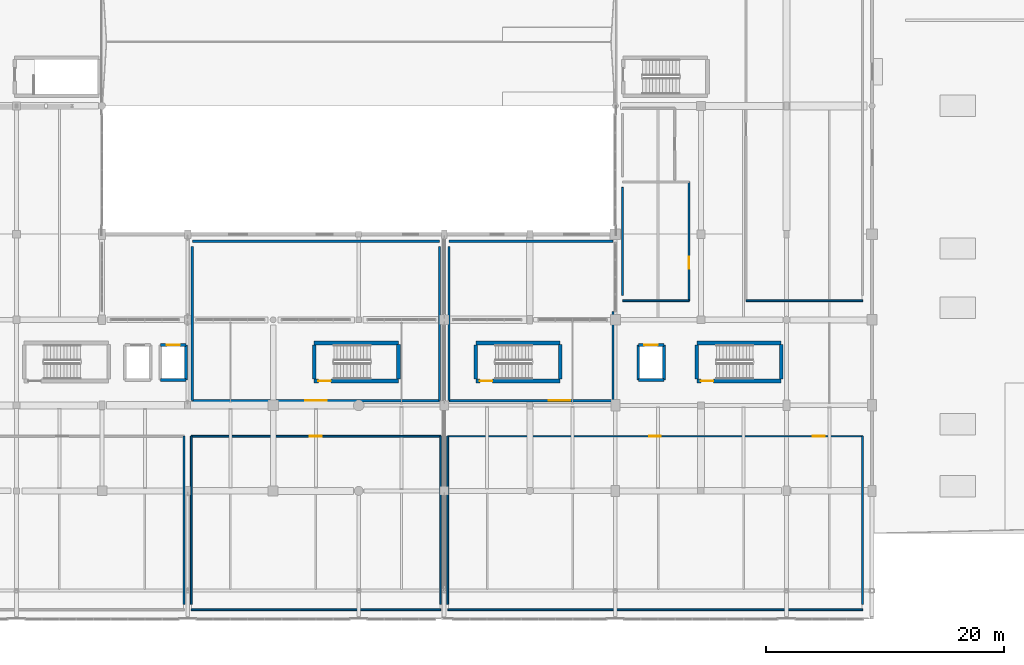
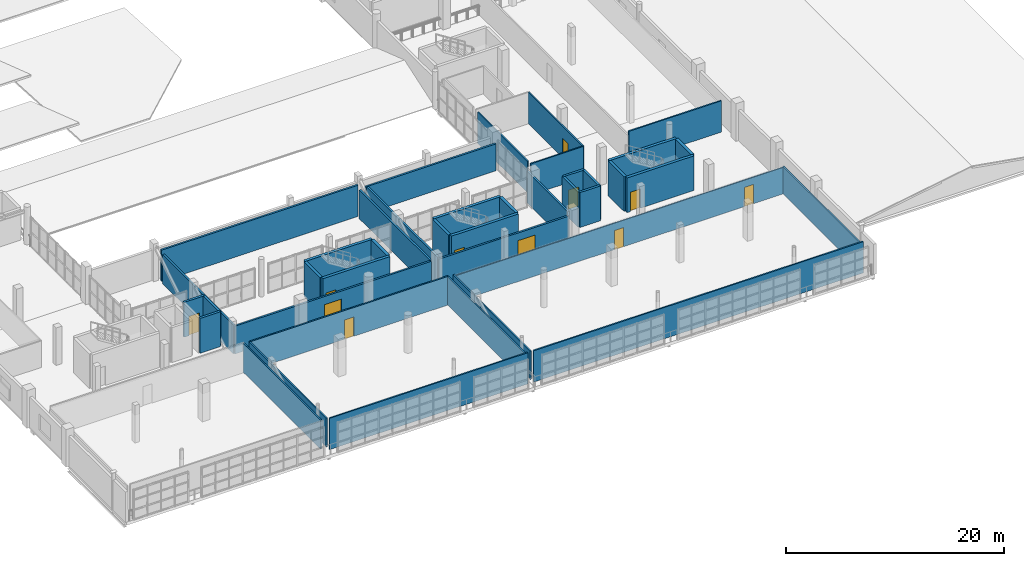
# One storey, part 74 of 90: 40 walls, 11 doors, 11 openings.
"""IFC4 building model written with IfcOpenShell, lengths in metres."""

from ifc_helpers import new_model, si_unit, direction, frame, frame_2d, origin, place, context, subcontext, project, spatial, rectangle, extrude, material, layer, layer_set, type_object, element, fill, save


model = new_model("IFC4")

# Units and contexts
model_context = context("Model", 3, precision=1e-05, world=origin(), true_north=direction((0.0, 1.0)))
body_context = subcontext(model_context, "Body", "Model", "MODEL_VIEW")
ifc_project = project(units=[si_unit("LENGTHUNIT", "METRE"), si_unit("AREAUNIT", "SQUARE_METRE"), si_unit("VOLUMEUNIT", "CUBIC_METRE"), si_unit("PLANEANGLEUNIT", "RADIAN"), si_unit("MASSUNIT", "GRAM", prefix="KILO")], contexts=[model_context])

# Site, building, storey
site_placement = place(None, origin())
site = spatial("IfcSite", under=ifc_project, at=site_placement, CompositionType="ELEMENT")
building_placement = place(site_placement, origin())
building = spatial("IfcBuilding", under=site, at=building_placement, Name="Solanera Park Tramway Depot", CompositionType="ELEMENT")
storey_placement = place(building_placement, frame((0.0, 0.0, 9.0)))
storey = spatial("IfcBuildingStorey", under=building, at=storey_placement, Name="L02", CompositionType="ELEMENT", Elevation=9.0)

# Walls
ifc_material_1 = material(Name="Concrete N32 (C32/40)", Category="concrete")
ifc_layer_1 = layer(ifc_material_1, 0.14990234375)
ifc_layer_set_1 = layer_set([ifc_layer_1], Name="Concrete N32 (C32/40)")
wall_type_1 = type_object("IfcWallType", Name="Acoustic Partition 150", PredefinedType="PARTITIONING", material=ifc_layer_set_1)
wall_1_placement = place(storey_placement, frame((129.300048828125, 1.25, 0.0), z_axis=(0.0, 0.0, 1.0), x_axis=(0.0, 1.0, 0.0)))
element("IfcWall", 1, at=wall_1_placement, inside=storey, type_object=wall_type_1, Name="Cyclone Incident and Crisis Command Suite Dividing Wall", PredefinedType="PARTITIONING", context=body_context, shape_type="SweptSolid", body=[
    extrude(rectangle(XDim=14.14990234375, YDim=0.14990234375, at=frame_2d((7.074951171875, 0.0))), origin(), (0.0, 0.0, 1.0), 3.244140625),
])
wall_2_placement = place(storey_placement, frame((150.89990234375, 0.800048828125, 0.0), z_axis=(0.0, 0.0, 1.0), x_axis=(-1.0, 0.0, 0.0)))
element("IfcWall", 2, at=wall_2_placement, inside=storey, type_object=wall_type_1, Name="Cantilevered Network Operations Control Theatre Dividing Wall", PredefinedType="PARTITIONING", context=body_context, shape_type="SweptSolid", body=[
    extrude(rectangle(XDim=21.0, YDim=0.14990234375, at=frame_2d((10.5, 0.0))), origin(), (0.0, 0.0, 1.0), 3.50244140625),
])
wall_3_placement = place(storey_placement, frame((150.89990234375, 1.25, 0.0), z_axis=(0.0, 0.0, 1.0), x_axis=(0.0, 1.0, 0.0)))
element("IfcWall", 3, at=wall_3_placement, inside=storey, type_object=wall_type_1, Name="Cantilevered Network Operations Control Theatre Dividing Wall", PredefinedType="PARTITIONING", context=body_context, shape_type="SweptSolid", body=[
    extrude(rectangle(XDim=14.14990234375, YDim=0.14990234375, at=frame_2d((7.074951171875, 0.0))), origin(), (0.0, 0.0, 1.0), 3.156982421875),
])
wall_4_placement = place(storey_placement, frame((129.89990234375, 15.39990234375, 0.0), z_axis=(0.0, 0.0, 1.0), x_axis=(0.0, -1.0, 0.0)))
element("IfcWall", 4, at=wall_4_placement, inside=storey, type_object=wall_type_1, Name="Cantilevered Network Operations Control Theatre Dividing Wall", PredefinedType="PARTITIONING", context=body_context, shape_type="SweptSolid", body=[
    extrude(rectangle(XDim=14.14990234375, YDim=0.14990234375, at=frame_2d((7.074951171875, 0.0))), origin(), (0.0, 0.0, 1.0), 3.20703125),
])
wall_5_placement = place(storey_placement, frame((186.39990234375, 0.800048828125, 0.0), z_axis=(0.0, 0.0, 1.0), x_axis=(-1.0, 0.0, 0.0)))
element("IfcWall", 5, at=wall_5_placement, inside=storey, type_object=wall_type_1, Name="Signalling and Network Operations Studio Dividing Wall", PredefinedType="PARTITIONING", context=body_context, shape_type="SweptSolid", body=[
    extrude(rectangle(XDim=34.89990234375, YDim=0.14990234375, at=frame_2d((17.449951171875, 0.0))), origin(), (0.0, 0.0, 1.0), 3.50244140625),
])
wall_6_placement = place(storey_placement, frame((186.39990234375, 1.25, 0.0), z_axis=(0.0, 0.0, 1.0), x_axis=(0.0, 1.0, 0.0)))
element("IfcWall", 6, at=wall_6_placement, inside=storey, type_object=wall_type_1, Name="Signalling and Network Operations Studio Dividing Wall", PredefinedType="PARTITIONING", context=body_context, shape_type="SweptSolid", body=[
    extrude(rectangle(XDim=14.14990234375, YDim=0.14990234375, at=frame_2d((7.074951171875, 0.0))), origin(), (0.0, 0.0, 1.0), 3.052001953125),
])
wall_7_placement = place(storey_placement, frame((151.5, 15.39990234375, 0.0), z_axis=(0.0, 0.0, 1.0), x_axis=(0.0, -1.0, 0.0)))
element("IfcWall", 7, at=wall_7_placement, inside=storey, type_object=wall_type_1, Name="Signalling and Network Operations Studio Dividing Wall", PredefinedType="PARTITIONING", context=body_context, shape_type="SweptSolid", body=[
    extrude(rectangle(XDim=14.14990234375, YDim=0.14990234375, at=frame_2d((7.074951171875, 0.0))), origin(), (0.0, 0.0, 1.0), 3.156982421875),
])
wall_8_placement = place(storey_placement, frame((186.39990234375, 26.800048828125, 0.0), z_axis=(0.0, 0.0, 1.0), x_axis=(-1.0, 0.0, 0.0)))
element("IfcWall", 8, at=wall_8_placement, inside=storey, type_object=wall_type_1, Name="Passenger Information and GIS Analytics Dividing Wall", PredefinedType="PARTITIONING", context=body_context, shape_type="SweptSolid", body=[
    extrude(rectangle(XDim=9.7998046875, YDim=0.14990234375, at=frame_2d((4.89990234375, 0.0))), origin(), (0.0, 0.0, 1.0), 3.50244140625),
])

# Wall, opening, door
ifc_material_2 = material(Name="Concrete N40 (C40/50)", Category="concrete")
ifc_layer_2 = layer(ifc_material_2, 0.300048828125)
ifc_layer_set_2 = layer_set([ifc_layer_2], Name="Concrete N40 (C40/50)")
wall_type_2 = type_object("IfcWallType", Name="Core Shear Wall 300", PredefinedType="SHEAR", material=ifc_layer_set_2)
wall_9_placement = place(storey_placement, frame((140.25, 20.050048828125, 0.0), z_axis=(0.0, 0.0, 1.0), x_axis=(1.0, 0.0, 0.0)))
wall_9 = element("IfcWall", 9, at=wall_9_placement, inside=storey, type_object=wall_type_2, Name="ST-02 L02 Shear Core Wall S", PredefinedType="SHEAR", context=body_context, shape_type="SweptSolid", body=[
    extrude(rectangle(XDim=7.10009765625, YDim=0.300048828125, at=frame_2d((3.550048828125, 0.0))), origin(), (0.0, 0.0, 1.0), 3.875),
])
opening_1_placement = place(wall_9_placement, frame((0.35009765625, 0.0, 0.0)))
opening_1 = element("IfcOpeningElement", 10, at=opening_1_placement, cuts=wall_9, Name="Opening FD-S1L", PredefinedType="OPENING", context=body_context, shape_type="SweptSolid", body=[
    extrude(rectangle(XDim=1.050048828125, YDim=2.14990234375, at=frame_2d((0.52490234375, 1.074951171875))), frame((0.0, 0.16015625, 0.0), z_axis=(0.0, -1.0, 0.0), x_axis=(1.0, 0.0, 0.0)), (0.0, 0.0, 1.0), 0.320068359375),
])
ifc_material_3 = material(Name="Fire-rated steel or solid-core hardwood door leaf", Category="steel")
door_type_1 = type_object("IfcDoorType", Name="Stair Fire Door L 1050x2150", OperationType="SINGLE_SWING_LEFT", PredefinedType="DOOR", material=ifc_material_3)
door_1_placement = place(opening_1_placement, origin())
door_1 = element("IfcDoor", 11, at=door_1_placement, inside=storey, type_object=door_type_1, Name="ST-02 L02 Stair Fire Door", OperationType="SINGLE_SWING_LEFT", OverallHeight=2.14990234375, OverallWidth=1.050048828125, PredefinedType="DOOR", context=body_context, shape_type="SweptSolid", body=[
    extrude(rectangle(XDim=1.050048828125, YDim=2.14990234375, at=frame_2d((0.52490234375, 1.074951171875))), frame((0.0, 0.02490234375, 0.0), z_axis=(0.0, -1.0, 0.0), x_axis=(1.0, 0.0, 0.0)), (0.0, 0.0, 1.0), 0.050048828125),
])
fill(opening_1, door_1)

# Walls
wall_10_placement = place(storey_placement, frame((147.35009765625, 23.25, 0.0), z_axis=(0.0, 0.0, 1.0), x_axis=(-1.0, 0.0, 0.0)))
element("IfcWall", 12, at=wall_10_placement, inside=storey, type_object=wall_type_2, Name="ST-02 L02 Shear Core Wall N", PredefinedType="SHEAR", context=body_context, shape_type="SweptSolid", body=[
    extrude(rectangle(XDim=7.10009765625, YDim=0.300048828125, at=frame_2d((3.550048828125, 0.0))), origin(), (0.0, 0.0, 1.0), 3.875),
])
for number, where, z_axis, x_axis, name in (
    (13, (147.35009765625, 20.199951171875, 0.0), (0.0, 0.0, 1.0), (0.0, 1.0, 0.0), "ST-02 L02 Shear Core Wall E"),
    (14, (140.25, 23.10009765625, 0.0), (0.0, 0.0, 1.0), (0.0, -1.0, 0.0), "ST-02 L02 Shear Core Wall W"),
):
    element("IfcWall", number, at=place(storey_placement, frame(where, z_axis=z_axis, x_axis=x_axis)), inside=storey, type_object=wall_type_2, Name=name, PredefinedType="SHEAR", context=body_context, shape_type="SweptSolid", body=[
        extrude(rectangle(XDim=2.900146484375, YDim=0.300048828125, at=frame_2d((1.4501953125, 0.0))), origin(), (0.0, 0.0, 1.0), 3.875),
    ])

# Wall, opening, door
wall_11_placement = place(storey_placement, frame((153.85009765625, 20.050048828125, 0.0), z_axis=(0.0, 0.0, 1.0), x_axis=(1.0, 0.0, 0.0)))
wall_11 = element("IfcWall", 15, at=wall_11_placement, inside=storey, type_object=wall_type_2, Name="ST-03 L02 Shear Core Wall S", PredefinedType="SHEAR", context=body_context, shape_type="SweptSolid", body=[
    extrude(rectangle(XDim=7.099853515625, YDim=0.300048828125, at=frame_2d((3.5498046875, 0.0))), origin(), (0.0, 0.0, 1.0), 3.875),
])
opening_2_placement = place(wall_11_placement, frame((0.35009765625, 0.0, 0.0)))
opening_2 = element("IfcOpeningElement", 16, at=opening_2_placement, cuts=wall_11, Name="Opening FD-S1L", PredefinedType="OPENING", context=body_context, shape_type="SweptSolid", body=[
    extrude(rectangle(XDim=1.050048828125, YDim=2.14990234375, at=frame_2d((0.52490234375, 1.074951171875))), frame((0.0, 0.16015625, 0.0), z_axis=(0.0, -1.0, 0.0), x_axis=(1.0, 0.0, 0.0)), (0.0, 0.0, 1.0), 0.320068359375),
])
door_2_placement = place(opening_2_placement, origin())
door_2 = element("IfcDoor", 17, at=door_2_placement, inside=storey, type_object=door_type_1, Name="ST-03 L02 Stair Fire Door", OperationType="SINGLE_SWING_LEFT", OverallHeight=2.14990234375, OverallWidth=1.050048828125, PredefinedType="DOOR", context=body_context, shape_type="SweptSolid", body=[
    extrude(rectangle(XDim=1.050048828125, YDim=2.14990234375, at=frame_2d((0.52490234375, 1.074951171875))), frame((0.0, 0.02490234375, 0.0), z_axis=(0.0, -1.0, 0.0), x_axis=(1.0, 0.0, 0.0)), (0.0, 0.0, 1.0), 0.050048828125),
])
fill(opening_2, door_2)

# Walls
wall_12_placement = place(storey_placement, frame((160.949951171875, 23.25, 0.0), z_axis=(0.0, 0.0, 1.0), x_axis=(-1.0, 0.0, 0.0)))
element("IfcWall", 18, at=wall_12_placement, inside=storey, type_object=wall_type_2, Name="ST-03 L02 Shear Core Wall N", PredefinedType="SHEAR", context=body_context, shape_type="SweptSolid", body=[
    extrude(rectangle(XDim=7.099853515625, YDim=0.300048828125, at=frame_2d((3.5498046875, 0.0))), origin(), (0.0, 0.0, 1.0), 3.875),
])
for number, where, z_axis, x_axis, name in (
    (19, (160.949951171875, 20.199951171875, 0.0), (0.0, 0.0, 1.0), (0.0, 1.0, 0.0), "ST-03 L02 Shear Core Wall E"),
    (20, (153.85009765625, 23.10009765625, 0.0), (0.0, 0.0, 1.0), (0.0, -1.0, 0.0), "ST-03 L02 Shear Core Wall W"),
):
    element("IfcWall", number, at=place(storey_placement, frame(where, z_axis=z_axis, x_axis=x_axis)), inside=storey, type_object=wall_type_2, Name=name, PredefinedType="SHEAR", context=body_context, shape_type="SweptSolid", body=[
        extrude(rectangle(XDim=2.900146484375, YDim=0.300048828125, at=frame_2d((1.4501953125, 0.0))), origin(), (0.0, 0.0, 1.0), 3.875),
    ])

# Wall, opening, door
wall_13_placement = place(storey_placement, frame((172.449951171875, 20.050048828125, 0.0), z_axis=(0.0, 0.0, 1.0), x_axis=(1.0, 0.0, 0.0)))
wall_13 = element("IfcWall", 21, at=wall_13_placement, inside=storey, type_object=wall_type_2, Name="ST-04 L02 Shear Core Wall S", PredefinedType="SHEAR", context=body_context, shape_type="SweptSolid", body=[
    extrude(rectangle(XDim=7.10009765625, YDim=0.300048828125, at=frame_2d((3.550048828125, 0.0))), origin(), (0.0, 0.0, 1.0), 3.875),
])
opening_3_placement = place(wall_13_placement, frame((0.35009765625, 0.0, 0.0)))
opening_3 = element("IfcOpeningElement", 22, at=opening_3_placement, cuts=wall_13, Name="Opening FD-S1L", PredefinedType="OPENING", context=body_context, shape_type="SweptSolid", body=[
    extrude(rectangle(XDim=1.050048828125, YDim=2.14990234375, at=frame_2d((0.52490234375, 1.074951171875))), frame((0.0, 0.16015625, 0.0), z_axis=(0.0, -1.0, 0.0), x_axis=(1.0, 0.0, 0.0)), (0.0, 0.0, 1.0), 0.320068359375),
])
door_3_placement = place(opening_3_placement, origin())
door_3 = element("IfcDoor", 23, at=door_3_placement, inside=storey, type_object=door_type_1, Name="ST-04 L02 Stair Fire Door", OperationType="SINGLE_SWING_LEFT", OverallHeight=2.14990234375, OverallWidth=1.050048828125, PredefinedType="DOOR", context=body_context, shape_type="SweptSolid", body=[
    extrude(rectangle(XDim=1.050048828125, YDim=2.14990234375, at=frame_2d((0.52490234375, 1.074951171875))), frame((0.0, 0.02490234375, 0.0), z_axis=(0.0, -1.0, 0.0), x_axis=(1.0, 0.0, 0.0)), (0.0, 0.0, 1.0), 0.050048828125),
])
fill(opening_3, door_3)

# Walls
wall_14_placement = place(storey_placement, frame((179.550048828125, 23.25, 0.0), z_axis=(0.0, 0.0, 1.0), x_axis=(-1.0, 0.0, 0.0)))
element("IfcWall", 24, at=wall_14_placement, inside=storey, type_object=wall_type_2, Name="ST-04 L02 Shear Core Wall N", PredefinedType="SHEAR", context=body_context, shape_type="SweptSolid", body=[
    extrude(rectangle(XDim=7.10009765625, YDim=0.300048828125, at=frame_2d((3.550048828125, 0.0))), origin(), (0.0, 0.0, 1.0), 3.875),
])
for number, where, z_axis, x_axis, name in (
    (25, (179.550048828125, 20.199951171875, 0.0), (0.0, 0.0, 1.0), (0.0, 1.0, 0.0), "ST-04 L02 Shear Core Wall E"),
    (26, (172.449951171875, 23.10009765625, 0.0), (0.0, 0.0, 1.0), (0.0, -1.0, 0.0), "ST-04 L02 Shear Core Wall W"),
):
    element("IfcWall", number, at=place(storey_placement, frame(where, z_axis=z_axis, x_axis=x_axis)), inside=storey, type_object=wall_type_2, Name=name, PredefinedType="SHEAR", context=body_context, shape_type="SweptSolid", body=[
        extrude(rectangle(XDim=2.900146484375, YDim=0.300048828125, at=frame_2d((1.4501953125, 0.0))), origin(), (0.0, 0.0, 1.0), 3.875),
    ])
ifc_material_4 = material(Name="Concrete N32 (C32/40)", Category="concrete")
ifc_layer_3 = layer(ifc_material_4, 0.199951171875)
ifc_layer_set_3 = layer_set([ifc_layer_3], Name="Concrete N32 (C32/40)")
wall_type_3 = type_object("IfcWallType", Name="Fire Compartment Wall 200", PredefinedType="SOLIDWALL", material=ifc_layer_set_3)
wall_15_placement = place(storey_placement, frame((130.0, 31.800048828125, 0.0), z_axis=(0.0, 0.0, 1.0), x_axis=(1.0, 0.0, 0.0)))
element("IfcWall", 27, at=wall_15_placement, inside=storey, type_object=wall_type_3, Name="Redundant Signalling Server Hall A Dividing Wall", PredefinedType="SOLIDWALL", context=body_context, shape_type="SweptSolid", body=[
    extrude(rectangle(XDim=20.800048828125, YDim=0.199951171875, at=frame_2d((10.39990234375, 0.0))), origin(), (0.0, 0.0, 1.0), 3.50244140625),
])
wall_16_placement = place(storey_placement, frame((150.800048828125, 18.39990234375, 0.0), z_axis=(0.0, 0.0, 1.0), x_axis=(0.0, 1.0, 0.0)))
element("IfcWall", 28, at=wall_16_placement, inside=storey, type_object=wall_type_3, Name="Redundant Signalling Server Hall A Dividing Wall", PredefinedType="SOLIDWALL", context=body_context, shape_type="SweptSolid", body=[
    extrude(rectangle(XDim=12.9501953125, YDim=0.199951171875, at=frame_2d((6.47509765625, 0.0))), origin(), (0.0, 0.0, 1.0), 3.20703125),
])
wall_17_placement = place(storey_placement, frame((130.0, 31.35009765625, 0.0), z_axis=(0.0, 0.0, 1.0), x_axis=(0.0, -1.0, 0.0)))
element("IfcWall", 29, at=wall_17_placement, inside=storey, type_object=wall_type_3, Name="Redundant Signalling Server Hall A Dividing Wall", PredefinedType="SOLIDWALL", context=body_context, shape_type="SweptSolid", body=[
    extrude(rectangle(XDim=12.9501953125, YDim=0.199951171875, at=frame_2d((6.47509765625, 0.0))), origin(), (0.0, 0.0, 1.0), 3.257080078125),
])

# Wall, opening, door
wall_18_placement = place(storey_placement, frame((150.800048828125, 18.39990234375, 0.0), z_axis=(0.0, 0.0, 1.0), x_axis=(-1.0, 0.0, 0.0)))
wall_18 = element("IfcWall", 30, at=wall_18_placement, inside=storey, type_object=wall_type_3, Name="Redundant Signalling Server Hall A Corridor Wall", PredefinedType="SOLIDWALL", context=body_context, shape_type="SweptSolid", body=[
    extrude(rectangle(XDim=20.800048828125, YDim=0.199951171875, at=frame_2d((10.39990234375, 0.0))), origin(), (0.0, 0.0, 1.0), 3.10693359375),
])
opening_4_placement = place(wall_18_placement, frame((9.5, 0.0, 0.0)))
opening_4 = element("IfcOpeningElement", 31, at=opening_4_placement, cuts=wall_18, Name="Opening FD-P2D", PredefinedType="OPENING", context=body_context, shape_type="SweptSolid", body=[
    extrude(rectangle(XDim=1.800048828125, YDim=2.199951171875, at=frame_2d((0.89990234375, 1.10009765625))), frame((0.0, 0.10986328125, 0.0), z_axis=(0.0, -1.0, 0.0), x_axis=(1.0, 0.0, 0.0)), (0.0, 0.0, 1.0), 0.219970703125),
])
ifc_material_5 = material(Name="Fire-rated steel or solid-core hardwood door leaf", Category="steel")
door_type_2 = type_object("IfcDoorType", Name="Plant Double Fire Door 1800x2200", OperationType="DOUBLE_SWING_LEFT", PredefinedType="DOOR", material=ifc_material_5)
door_4_placement = place(opening_4_placement, origin())
door_4 = element("IfcDoor", 32, at=door_4_placement, inside=storey, type_object=door_type_2, Name="Redundant Signalling Server Hall A Door", OperationType="DOUBLE_SWING_LEFT", OverallHeight=2.199951171875, OverallWidth=1.800048828125, PredefinedType="DOOR", context=body_context, shape_type="SweptSolid", body=[
    extrude(rectangle(XDim=1.800048828125, YDim=2.199951171875, at=frame_2d((0.89990234375, 1.10009765625))), frame((0.0, 0.02490234375, 0.0), z_axis=(0.0, -1.0, 0.0), x_axis=(1.0, 0.0, 0.0)), (0.0, 0.0, 1.0), 0.050048828125),
])
fill(opening_4, door_4)

# Walls
wall_19_placement = place(storey_placement, frame((151.60009765625, 31.800048828125, 0.0), z_axis=(0.0, 0.0, 1.0), x_axis=(1.0, 0.0, 0.0)))
element("IfcWall", 33, at=wall_19_placement, inside=storey, type_object=wall_type_3, Name="Telemetry and Radio Core Equipment Hall Dividing Wall", PredefinedType="SOLIDWALL", context=body_context, shape_type="SweptSolid", body=[
    extrude(rectangle(XDim=13.7998046875, YDim=0.199951171875, at=frame_2d((6.89990234375, 0.0))), origin(), (0.0, 0.0, 1.0), 3.007080078125),
])
wall_20_placement = place(storey_placement, frame((165.39990234375, 18.39990234375, 0.0), z_axis=(0.0, 0.0, 1.0), x_axis=(0.0, 1.0, 0.0)))
element("IfcWall", 34, at=wall_20_placement, inside=storey, type_object=wall_type_3, Name="Telemetry and Radio Core Equipment Hall Dividing Wall", PredefinedType="SOLIDWALL", context=body_context, shape_type="SweptSolid", body=[
    extrude(rectangle(XDim=7.5, YDim=0.199951171875, at=frame_2d((3.75, 0.0))), origin(), (0.0, 0.0, 1.0), 3.50244140625),
])
wall_21_placement = place(storey_placement, frame((151.60009765625, 31.35009765625, 0.0), z_axis=(0.0, 0.0, 1.0), x_axis=(0.0, -1.0, 0.0)))
element("IfcWall", 35, at=wall_21_placement, inside=storey, type_object=wall_type_3, Name="Telemetry and Radio Core Equipment Hall Dividing Wall", PredefinedType="SOLIDWALL", context=body_context, shape_type="SweptSolid", body=[
    extrude(rectangle(XDim=12.9501953125, YDim=0.199951171875, at=frame_2d((6.47509765625, 0.0))), origin(), (0.0, 0.0, 1.0), 3.257080078125),
])

# Wall, opening, door
wall_22_placement = place(storey_placement, frame((165.39990234375, 18.39990234375, 0.0), z_axis=(0.0, 0.0, 1.0), x_axis=(-1.0, 0.0, 0.0)))
wall_22 = element("IfcWall", 36, at=wall_22_placement, inside=storey, type_object=wall_type_3, Name="Telemetry and Radio Core Equipment Hall Corridor Wall", PredefinedType="SOLIDWALL", context=body_context, shape_type="SweptSolid", body=[
    extrude(rectangle(XDim=13.7998046875, YDim=0.199951171875, at=frame_2d((6.89990234375, 0.0))), origin(), (0.0, 0.0, 1.0), 3.056884765625),
])
opening_5_placement = place(wall_22_placement, frame((3.60009765625, 0.0, 0.0)))
opening_5 = element("IfcOpeningElement", 37, at=opening_5_placement, cuts=wall_22, Name="Opening FD-P2D", PredefinedType="OPENING", context=body_context, shape_type="SweptSolid", body=[
    extrude(rectangle(XDim=1.800048828125, YDim=2.199951171875, at=frame_2d((0.89990234375, 1.10009765625))), frame((0.0, 0.10986328125, 0.0), z_axis=(0.0, -1.0, 0.0), x_axis=(1.0, 0.0, 0.0)), (0.0, 0.0, 1.0), 0.219970703125),
])
door_5_placement = place(opening_5_placement, origin())
door_5 = element("IfcDoor", 38, at=door_5_placement, inside=storey, type_object=door_type_2, Name="Telemetry and Radio Core Equipment Hall Door", OperationType="DOUBLE_SWING_LEFT", OverallHeight=2.199951171875, OverallWidth=1.800048828125, PredefinedType="DOOR", context=body_context, shape_type="SweptSolid", body=[
    extrude(rectangle(XDim=1.800048828125, YDim=2.199951171875, at=frame_2d((0.89990234375, 1.10009765625))), frame((0.0, 0.02490234375, 0.0), z_axis=(0.0, -1.0, 0.0), x_axis=(1.0, 0.0, 0.0)), (0.0, 0.0, 1.0), 0.050048828125),
])
fill(opening_5, door_5)

ifc_material_6 = material(Name="Concrete N32 (C32/40)", Category="concrete")
ifc_layer_4 = layer(ifc_material_6, 0.159912109375)
ifc_layer_set_4 = layer_set([ifc_layer_4], Name="Concrete N32 (C32/40)")
wall_type_4 = type_object("IfcWallType", Name="Fire Corridor Wall 160", PredefinedType="PARTITIONING", material=ifc_layer_set_4)
wall_23_placement = place(storey_placement, frame((129.89990234375, 15.39990234375, 0.0), z_axis=(0.0, 0.0, 1.0), x_axis=(1.0, 0.0, 0.0)))
wall_23 = element("IfcWall", 39, at=wall_23_placement, inside=storey, type_object=wall_type_4, Name="Cantilevered Network Operations Control Theatre Corridor Wall", PredefinedType="PARTITIONING", context=body_context, shape_type="SweptSolid", body=[
    extrude(rectangle(XDim=21.0, YDim=0.159912109375, at=frame_2d((10.5, 0.0))), origin(), (0.0, 0.0, 1.0), 3.20703125),
])
opening_6_placement = place(wall_23_placement, frame((10.0, 0.0, 0.0)))
opening_6 = element("IfcOpeningElement", 40, at=opening_6_placement, cuts=wall_23, Name="Opening FD-C1L", PredefinedType="OPENING", context=body_context, shape_type="SweptSolid", body=[
    extrude(rectangle(XDim=1.0, YDim=2.14990234375, at=frame_2d((0.5, 1.074951171875))), frame((0.0, 0.08984375, 0.0), z_axis=(0.0, -1.0, 0.0), x_axis=(1.0, 0.0, 0.0)), (0.0, 0.0, 1.0), 0.179931640625),
])
ifc_material_7 = material(Name="Fire-rated steel or solid-core hardwood door leaf", Category="steel")
door_type_3 = type_object("IfcDoorType", Name="Compartment Fire Door L 1000x2150", OperationType="SINGLE_SWING_LEFT", PredefinedType="DOOR", material=ifc_material_7)
door_6_placement = place(opening_6_placement, origin())
door_6 = element("IfcDoor", 41, at=door_6_placement, inside=storey, type_object=door_type_3, Name="Cantilevered Network Operations Control Theatre Door", OperationType="SINGLE_SWING_LEFT", OverallHeight=2.14990234375, OverallWidth=1.0, PredefinedType="DOOR", context=body_context, shape_type="SweptSolid", body=[
    extrude(rectangle(XDim=1.0, YDim=2.14990234375, at=frame_2d((0.5, 1.074951171875))), frame((0.0, 0.02490234375, 0.0), z_axis=(0.0, -1.0, 0.0), x_axis=(1.0, 0.0, 0.0)), (0.0, 0.0, 1.0), 0.050048828125),
])
fill(opening_6, door_6)

# Wall
ifc_material_8 = material(Name="Concrete N40 (C40/50)", Category="concrete")
ifc_layer_5 = layer(ifc_material_8, 0.25)
ifc_layer_set_5 = layer_set([ifc_layer_5], Name="Concrete N40 (C40/50)")
wall_type_5 = type_object("IfcWallType", Name="Lift Shaft Shear Wall 250", PredefinedType="SHEAR", material=ifc_layer_set_5)
wall_24_placement = place(storey_placement, frame((127.324951171875, 20.125, 0.0), z_axis=(0.0, 0.0, 1.0), x_axis=(1.0, 0.0, 0.0)))
element("IfcWall", 42, at=wall_24_placement, inside=storey, type_object=wall_type_5, Name="LF-02 L02 Lift Shaft Wall S", PredefinedType="SHEAR", context=body_context, shape_type="SweptSolid", body=[
    extrude(rectangle(XDim=2.150146484375, YDim=0.25, at=frame_2d((1.0751953125, 0.0))), origin(), (0.0, 0.0, 1.0), 3.89990234375),
])

# Wall, opening, door
wall_25_placement = place(storey_placement, frame((129.47509765625, 23.074951171875, 0.0), z_axis=(0.0, 0.0, 1.0), x_axis=(-1.0, 0.0, 0.0)))
wall_25 = element("IfcWall", 43, at=wall_25_placement, inside=storey, type_object=wall_type_5, Name="LF-02 L02 Lift Shaft Wall N", PredefinedType="SHEAR", context=body_context, shape_type="SweptSolid", body=[
    extrude(rectangle(XDim=2.150146484375, YDim=0.25, at=frame_2d((1.0751953125, 0.0))), origin(), (0.0, 0.0, 1.0), 3.89990234375),
])
opening_7_placement = place(wall_25_placement, frame((0.52490234375, 0.0, 0.0)))
opening_7 = element("IfcOpeningElement", 44, at=opening_7_placement, cuts=wall_25, Name="Opening LD-01", PredefinedType="OPENING", context=body_context, shape_type="SweptSolid", body=[
    extrude(rectangle(XDim=1.10009765625, YDim=2.14990234375, at=frame_2d((0.550048828125, 1.074951171875))), frame((0.0, 0.135009765625, 0.0), z_axis=(0.0, -1.0, 0.0), x_axis=(1.0, 0.0, 0.0)), (0.0, 0.0, 1.0), 0.27001953125),
])
ifc_material_9 = material(Name="Fire-rated steel or solid-core hardwood door leaf", Category="steel")
door_type_4 = type_object("IfcDoorType", Name="Lift Landing Sliding Door 1100x2150", OperationType="SLIDING_TO_LEFT", PredefinedType="DOOR", material=ifc_material_9)
door_7_placement = place(opening_7_placement, origin())
door_7 = element("IfcDoor", 45, at=door_7_placement, inside=storey, type_object=door_type_4, Name="LF-02 L02 Lift Landing Sliding Door", OperationType="SLIDING_TO_LEFT", OverallHeight=2.14990234375, OverallWidth=1.10009765625, PredefinedType="DOOR", context=body_context, shape_type="SweptSolid", body=[
    extrude(rectangle(XDim=1.10009765625, YDim=2.14990234375, at=frame_2d((0.550048828125, 1.074951171875))), frame((0.0, 0.02490234375, 0.0), z_axis=(0.0, -1.0, 0.0), x_axis=(1.0, 0.0, 0.0)), (0.0, 0.0, 1.0), 0.050048828125),
])
fill(opening_7, door_7)

# Walls
wall_26_placement = place(storey_placement, frame((129.47509765625, 20.125, 0.0), z_axis=(0.0, 0.0, 1.0), x_axis=(0.0, 1.0, 0.0)))
element("IfcWall", 46, at=wall_26_placement, inside=storey, type_object=wall_type_5, Name="LF-02 L02 Lift Shaft Wall E", PredefinedType="SHEAR", context=body_context, shape_type="SweptSolid", body=[
    extrude(rectangle(XDim=2.949951171875, YDim=0.25, at=frame_2d((1.47509765625, 0.0))), origin(), (0.0, 0.0, 1.0), 3.89990234375),
])
wall_27_placement = place(storey_placement, frame((167.52490234375, 20.125, 0.0), z_axis=(0.0, 0.0, 1.0), x_axis=(1.0, 0.0, 0.0)))
element("IfcWall", 47, at=wall_27_placement, inside=storey, type_object=wall_type_5, Name="LF-03 L02 Lift Shaft Wall S", PredefinedType="SHEAR", context=body_context, shape_type="SweptSolid", body=[
    extrude(rectangle(XDim=2.150146484375, YDim=0.25, at=frame_2d((1.0751953125, 0.0))), origin(), (0.0, 0.0, 1.0), 3.89990234375),
])

# Wall, opening, door
wall_28_placement = place(storey_placement, frame((169.675048828125, 23.074951171875, 0.0), z_axis=(0.0, 0.0, 1.0), x_axis=(-1.0, 0.0, 0.0)))
wall_28 = element("IfcWall", 48, at=wall_28_placement, inside=storey, type_object=wall_type_5, Name="LF-03 L02 Lift Shaft Wall N", PredefinedType="SHEAR", context=body_context, shape_type="SweptSolid", body=[
    extrude(rectangle(XDim=2.150146484375, YDim=0.25, at=frame_2d((1.0751953125, 0.0))), origin(), (0.0, 0.0, 1.0), 3.89990234375),
])
opening_8_placement = place(wall_28_placement, frame((0.52490234375, 0.0, 0.0)))
opening_8 = element("IfcOpeningElement", 49, at=opening_8_placement, cuts=wall_28, Name="Opening LD-01", PredefinedType="OPENING", context=body_context, shape_type="SweptSolid", body=[
    extrude(rectangle(XDim=1.10009765625, YDim=2.14990234375, at=frame_2d((0.550048828125, 1.074951171875))), frame((0.0, 0.135009765625, 0.0), z_axis=(0.0, -1.0, 0.0), x_axis=(1.0, 0.0, 0.0)), (0.0, 0.0, 1.0), 0.27001953125),
])
door_8_placement = place(opening_8_placement, origin())
door_8 = element("IfcDoor", 50, at=door_8_placement, inside=storey, type_object=door_type_4, Name="LF-03 L02 Lift Landing Sliding Door", OperationType="SLIDING_TO_LEFT", OverallHeight=2.14990234375, OverallWidth=1.10009765625, PredefinedType="DOOR", context=body_context, shape_type="SweptSolid", body=[
    extrude(rectangle(XDim=1.10009765625, YDim=2.14990234375, at=frame_2d((0.550048828125, 1.074951171875))), frame((0.0, 0.02490234375, 0.0), z_axis=(0.0, -1.0, 0.0), x_axis=(1.0, 0.0, 0.0)), (0.0, 0.0, 1.0), 0.050048828125),
])
fill(opening_8, door_8)

# Walls
for number, where, z_axis, x_axis, name in (
    (51, (167.52490234375, 23.074951171875, 0.0), (0.0, 0.0, 1.0), (0.0, -1.0, 0.0), "LF-03 L02 Lift Shaft Wall W"),
    (52, (169.675048828125, 20.125, 0.0), (0.0, 0.0, 1.0), (0.0, 1.0, 0.0), "LF-03 L02 Lift Shaft Wall E"),
):
    element("IfcWall", number, at=place(storey_placement, frame(where, z_axis=z_axis, x_axis=x_axis)), inside=storey, type_object=wall_type_5, Name=name, PredefinedType="SHEAR", context=body_context, shape_type="SweptSolid", body=[
        extrude(rectangle(XDim=2.949951171875, YDim=0.25, at=frame_2d((1.47509765625, 0.0))), origin(), (0.0, 0.0, 1.0), 3.89990234375),
    ])
ifc_material_10 = material(Name="Concrete N32 (C32/40)", Category="concrete")
ifc_layer_6 = layer(ifc_material_10, 0.139892578125)
ifc_layer_set_6 = layer_set([ifc_layer_6], Name="Concrete N32 (C32/40)")
wall_type_6 = type_object("IfcWallType", Name="Wet Area Partition 140", PredefinedType="PARTITIONING", material=ifc_layer_set_6)
wall_29_placement = place(storey_placement, frame((171.800048828125, 26.800048828125, 0.0), z_axis=(0.0, 0.0, 1.0), x_axis=(-1.0, 0.0, 0.0)))
element("IfcWall", 53, at=wall_29_placement, inside=storey, type_object=wall_type_6, Name="OCC Level Male and Female Restrooms L02 Dividing Wall", PredefinedType="PARTITIONING", context=body_context, shape_type="SweptSolid", body=[
    extrude(rectangle(XDim=5.60009765625, YDim=0.139892578125, at=frame_2d((2.800048828125, 0.0))), origin(), (0.0, 0.0, 1.0), 3.5),
])
wall_30_placement = place(storey_placement, frame((166.199951171875, 36.35009765625, 0.0), z_axis=(0.0, 0.0, 1.0), x_axis=(0.0, -1.0, 0.0)))
element("IfcWall", 54, at=wall_30_placement, inside=storey, type_object=wall_type_6, Name="OCC Level Male and Female Restrooms L02 Dividing Wall", PredefinedType="PARTITIONING", context=body_context, shape_type="SweptSolid", body=[
    extrude(rectangle(XDim=9.10009765625, YDim=0.139892578125, at=frame_2d((4.550048828125, 0.0))), origin(), (0.0, 0.0, 1.0), 3.5),
])

# Wall, opening, door
wall_31_placement = place(storey_placement, frame((171.800048828125, 26.800048828125, 0.0), z_axis=(0.0, 0.0, 1.0), x_axis=(0.0, 1.0, 0.0)))
wall_31 = element("IfcWall", 55, at=wall_31_placement, inside=storey, type_object=wall_type_6, Name="OCC Level Male and Female Restrooms L02 Corridor Wall", PredefinedType="PARTITIONING", context=body_context, shape_type="SweptSolid", body=[
    extrude(rectangle(XDim=10.0, YDim=0.139892578125, at=frame_2d((5.0, 0.0))), origin(), (0.0, 0.0, 1.0), 3.5),
])
opening_9_placement = place(wall_31_placement, frame((2.7060546875, 0.0, 0.0)))
opening_9 = element("IfcOpeningElement", 56, at=opening_9_placement, cuts=wall_31, Name="Opening ID-W1L", PredefinedType="OPENING", context=body_context, shape_type="SweptSolid", body=[
    extrude(rectangle(XDim=0.97998046875, YDim=2.14990234375, at=frame_2d((0.489990234375, 1.074951171875))), frame((0.0, 0.080078125, 0.0), z_axis=(0.0, -1.0, 0.0), x_axis=(1.0, 0.0, 0.0)), (0.0, 0.0, 1.0), 0.159912109375),
])
ifc_material_11 = material(Name="Fire-rated steel or solid-core hardwood door leaf", Category="steel")
door_type_5 = type_object("IfcDoorType", Name="Accessible WC Door L 980x2150", OperationType="SINGLE_SWING_LEFT", PredefinedType="DOOR", material=ifc_material_11)
door_9_placement = place(opening_9_placement, origin())
door_9 = element("IfcDoor", 57, at=door_9_placement, inside=storey, type_object=door_type_5, Name="OCC Level Male and Female Restrooms L02 Door", OperationType="SINGLE_SWING_LEFT", OverallHeight=2.14990234375, OverallWidth=0.97998046875, PredefinedType="DOOR", context=body_context, shape_type="SweptSolid", body=[
    extrude(rectangle(XDim=0.97998046875, YDim=2.14990234375, at=frame_2d((0.489990234375, 1.074951171875))), frame((0.0, 0.02490234375, 0.0), z_axis=(0.0, -1.0, 0.0), x_axis=(1.0, 0.0, 0.0)), (0.0, 0.0, 1.0), 0.050048828125),
])
fill(opening_9, door_9)

# Wall, openings, doors
ifc_material_12 = material(Name="Concrete N32 (C32/40)", Category="concrete")
ifc_layer_7 = layer(ifc_material_12, 0.110107421875)
ifc_layer_set_7 = layer_set([ifc_layer_7], Name="Concrete N32 (C32/40)")
wall_type_7 = type_object("IfcWallType", Name="Workshop Glazed Screen 110", PredefinedType="PARTITIONING", material=ifc_layer_set_7)
wall_32_placement = place(storey_placement, frame((151.5, 15.39990234375, 0.0), z_axis=(0.0, 0.0, 1.0), x_axis=(1.0, 0.0, 0.0)))
wall_32 = element("IfcWall", 58, at=wall_32_placement, inside=storey, type_object=wall_type_7, Name="Signalling and Network Operations Studio Corridor Wall", PredefinedType="PARTITIONING", context=body_context, shape_type="SweptSolid", body=[
    extrude(rectangle(XDim=34.89990234375, YDim=0.110107421875, at=frame_2d((17.449951171875, 0.0))), origin(), (0.0, 0.0, 1.0), 2.95703125),
])
opening_10_placement = place(wall_32_placement, frame((16.965087890625, 0.0, 0.0)))
opening_10 = element("IfcOpeningElement", 59, at=opening_10_placement, cuts=wall_32, Name="Opening ID-O1R", PredefinedType="OPENING", context=body_context, shape_type="SweptSolid", body=[
    extrude(rectangle(XDim=0.969970703125, YDim=2.14990234375, at=frame_2d((0.48486328125, 1.074951171875))), frame((0.0, 0.06494140625, 0.0), z_axis=(0.0, -1.0, 0.0), x_axis=(1.0, 0.0, 0.0)), (0.0, 0.0, 1.0), 0.130126953125),
])
opening_11_placement = place(wall_32_placement, frame((30.72998046875, 0.0, 0.0)))
opening_11 = element("IfcOpeningElement", 60, at=opening_11_placement, cuts=wall_32, Name="Opening ID-O1R", PredefinedType="OPENING", context=body_context, shape_type="SweptSolid", body=[
    extrude(rectangle(XDim=0.969970703125, YDim=2.14990234375, at=frame_2d((0.48486328125, 1.074951171875))), frame((0.0, 0.06494140625, 0.0), z_axis=(0.0, -1.0, 0.0), x_axis=(1.0, 0.0, 0.0)), (0.0, 0.0, 1.0), 0.130126953125),
])
ifc_material_13 = material(Name="Fire-rated steel or solid-core hardwood door leaf", Category="steel")
door_type_6 = type_object("IfcDoorType", Name="Office Single Door R 970x2150", OperationType="SINGLE_SWING_RIGHT", PredefinedType="DOOR", material=ifc_material_13)
door_10_placement = place(opening_10_placement, origin())
door_10 = element("IfcDoor", 61, at=door_10_placement, inside=storey, type_object=door_type_6, Name="Signalling and Network Operations Studio Door", OperationType="SINGLE_SWING_RIGHT", OverallHeight=2.14990234375, OverallWidth=0.969970703125, PredefinedType="DOOR", context=body_context, shape_type="SweptSolid", body=[
    extrude(rectangle(XDim=0.969970703125, YDim=2.14990234375, at=frame_2d((0.48486328125, 1.074951171875))), frame((0.0, 0.02490234375, 0.0), z_axis=(0.0, -1.0, 0.0), x_axis=(1.0, 0.0, 0.0)), (0.0, 0.0, 1.0), 0.050048828125),
])
fill(opening_10, door_10)
door_11_placement = place(opening_11_placement, origin())
door_11 = element("IfcDoor", 62, at=door_11_placement, inside=storey, type_object=door_type_6, Name="Signalling and Network Operations Studio Secondary Exit Door", OperationType="SINGLE_SWING_RIGHT", OverallHeight=2.14990234375, OverallWidth=0.969970703125, PredefinedType="DOOR", context=body_context, shape_type="SweptSolid", body=[
    extrude(rectangle(XDim=0.969970703125, YDim=2.14990234375, at=frame_2d((0.48486328125, 1.074951171875))), frame((0.0, 0.02490234375, 0.0), z_axis=(0.0, -1.0, 0.0), x_axis=(1.0, 0.0, 0.0)), (0.0, 0.0, 1.0), 0.050048828125),
])
fill(opening_11, door_11)

save(model, "model.ifc")
